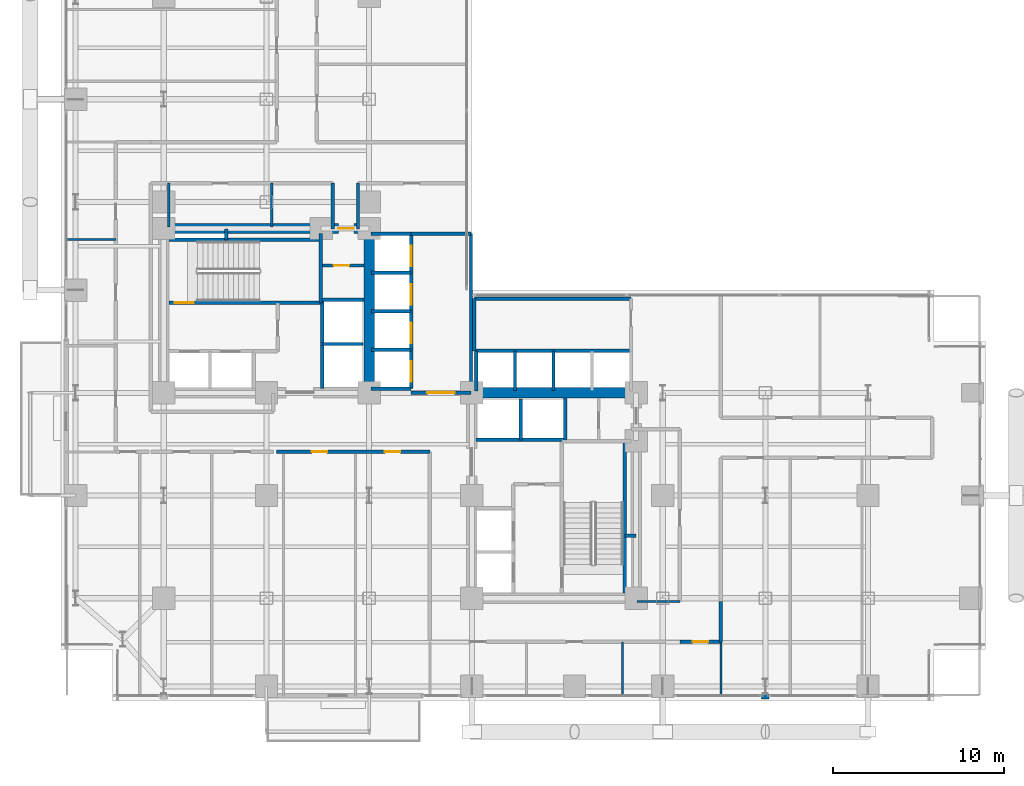
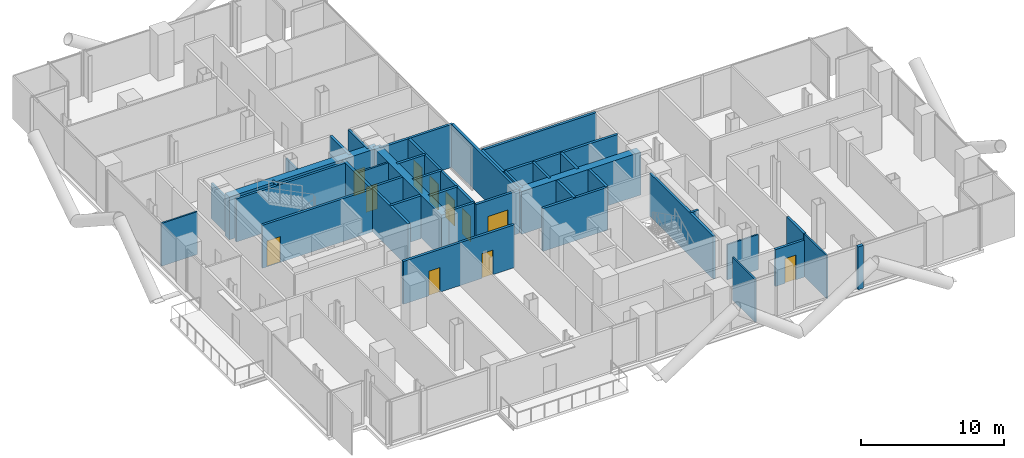
# One storey, part 21 of 25: 43 walls, 11 doors, 11 openings.
"""IFC4 building model written with IfcOpenShell, lengths in metres."""

from ifc_helpers import new_model, si_unit, direction, frame, frame_2d, origin, place, context, subcontext, project, spatial, rectangle, extrude, material, layer, layer_set, type_object, element, fill, save


model = new_model("IFC4")

# Units and contexts
model_context = context("Model", 3, precision=1e-05, world=origin(), true_north=direction((0.0, 1.0)))
body_context = subcontext(model_context, "Body", "Model", "MODEL_VIEW")
ifc_project = project(units=[si_unit("LENGTHUNIT", "METRE"), si_unit("AREAUNIT", "SQUARE_METRE"), si_unit("VOLUMEUNIT", "CUBIC_METRE"), si_unit("PLANEANGLEUNIT", "RADIAN"), si_unit("MASSUNIT", "GRAM", prefix="KILO"), si_unit("THERMODYNAMICTEMPERATUREUNIT", "KELVIN"), si_unit("POWERUNIT", "WATT")], contexts=[model_context])

# Site, building, storey
site_placement = place(None, origin())
site = spatial("IfcSite", under=ifc_project, at=site_placement, CompositionType="ELEMENT")
building_placement = place(site_placement, origin())
building = spatial("IfcBuilding", under=site, at=building_placement, Name="Svarakhadi Broadcast Tower", CompositionType="ELEMENT")
storey_placement = place(building_placement, frame((0.0, 0.0, 51.89990234375)))
storey = spatial("IfcBuildingStorey", under=building, at=storey_placement, Name="L11", CompositionType="ELEMENT", Elevation=51.89990234375)

# Wall
ifc_material_1 = material(Name="Double-Stud Acoustic Studio Partition STC-62", Category="gypsum")
ifc_layer_1 = layer(ifc_material_1, 0.199951171875)
ifc_layer_set_1 = layer_set([ifc_layer_1], Name="Double-Stud Acoustic Studio Partition STC-62")
wall_type_1 = type_object("IfcWallType", Name="Wall_Acoust_200", PredefinedType="PARTITIONING", material=ifc_layer_set_1)
wall_1_placement = place(storey_placement, frame((38.550048828125, 5.800048828125, 0.0), z_axis=(0.0, 0.0, 1.0), x_axis=(0.0, -1.0, 0.0)))
element("IfcWall", 1, at=wall_1_placement, inside=storey, type_object=wall_type_1, Name="L11 Broadcast Corridor Wall", PredefinedType="PARTITIONING", context=body_context, shape_type="SweptSolid", body=[
    extrude(rectangle(XDim=2.35009765625, YDim=0.199951171875, at=frame_2d((1.175048828125, 0.0))), origin(), (0.0, 0.0, 1.0), 3.650146484375),
])

# Wall, opening, door
wall_2_placement = place(storey_placement, frame((38.550048828125, 3.449951171875, 0.0), z_axis=(0.0, 0.0, 1.0), x_axis=(-1.0, 0.0, 0.0)))
wall_2 = element("IfcWall", 2, at=wall_2_placement, inside=storey, type_object=wall_type_1, Name="L11 Broadcast Corridor Wall", PredefinedType="PARTITIONING", context=body_context, shape_type="SweptSolid", body=[
    extrude(rectangle(XDim=2.400146484375, YDim=0.199951171875, at=frame_2d((1.2001953125, 0.0))), origin(), (0.0, 0.0, 1.0), 3.14208984375),
])
opening_1_placement = place(wall_2_placement, frame((0.75, 0.0, 0.0)))
opening_1 = element("IfcOpeningElement", 3, at=opening_1_placement, cuts=wall_2, Name="Opening D-15", PredefinedType="OPENING", context=body_context, shape_type="SweptSolid", body=[
    extrude(rectangle(XDim=0.89990234375, YDim=2.10009765625, at=frame_2d((0.449951171875, 1.050048828125))), frame((0.0, 0.10986328125, 0.0), z_axis=(0.0, -1.0, 0.0), x_axis=(1.0, 0.0, 0.0)), (0.0, 0.0, 1.0), 0.219970703125),
])
ifc_material_2 = material(Name="Solid-Core Teak Veneer Acoustic Timber Leaf", Category="wood")
door_type_1 = type_object("IfcDoorType", Name="Door_Int_D15", OperationType="SINGLE_SWING_RIGHT", PredefinedType="DOOR", material=ifc_material_2)
door_1_placement = place(opening_1_placement, origin())
door_1 = element("IfcDoor", 4, at=door_1_placement, inside=storey, type_object=door_type_1, Name="L11 Broadcast Staff Refreshment Pantry Door", OperationType="SINGLE_SWING_RIGHT", OverallHeight=2.10009765625, OverallWidth=0.89990234375, PredefinedType="DOOR", context=body_context, shape_type="SweptSolid", body=[
    extrude(rectangle(XDim=0.89990234375, YDim=2.10009765625, at=frame_2d((0.449951171875, 1.050048828125))), frame((0.0, 0.02490234375, 0.0), z_axis=(0.0, -1.0, 0.0), x_axis=(1.0, 0.0, 0.0)), (0.0, 0.0, 1.0), 0.050048828125),
])
fill(opening_1, door_1)

# Wall, openings, doors
wall_3_placement = place(storey_placement, frame((21.550048828125, 14.550048828125, 0.0), z_axis=(0.0, 0.0, 1.0), x_axis=(-1.0, 0.0, 0.0)))
wall_3 = element("IfcWall", 5, at=wall_3_placement, inside=storey, type_object=wall_type_1, Name="L11 Broadcast Corridor Wall", PredefinedType="PARTITIONING", context=body_context, shape_type="SweptSolid", body=[
    extrude(rectangle(XDim=8.949951171875, YDim=0.199951171875, at=frame_2d((4.47509765625, 0.0))), origin(), (0.0, 0.0, 1.0), 3.650146484375),
])
opening_2_placement = place(wall_3_placement, frame((6.0, 0.0, 0.0)))
opening_2 = element("IfcOpeningElement", 6, at=opening_2_placement, cuts=wall_3, Name="Opening D-14", PredefinedType="OPENING", context=body_context, shape_type="SweptSolid", body=[
    extrude(rectangle(XDim=0.89990234375, YDim=2.10009765625, at=frame_2d((0.449951171875, 1.050048828125))), frame((0.0, 0.10986328125, 0.0), z_axis=(0.0, -1.0, 0.0), x_axis=(1.0, 0.0, 0.0)), (0.0, 0.0, 1.0), 0.219970703125),
])
opening_3_placement = place(wall_3_placement, frame((1.72509765625, 0.0, 0.0)))
opening_3 = element("IfcOpeningElement", 7, at=opening_3_placement, cuts=wall_3, Name="Opening D-15", PredefinedType="OPENING", context=body_context, shape_type="SweptSolid", body=[
    extrude(rectangle(XDim=0.89990234375, YDim=2.10009765625, at=frame_2d((0.449951171875, 1.050048828125))), frame((0.0, 0.10986328125, 0.0), z_axis=(0.0, -1.0, 0.0), x_axis=(1.0, 0.0, 0.0)), (0.0, 0.0, 1.0), 0.219970703125),
])
door_type_2 = type_object("IfcDoorType", Name="Door_Int_D14", OperationType="SINGLE_SWING_LEFT", PredefinedType="DOOR", material=ifc_material_2)
door_2_placement = place(opening_2_placement, origin())
door_2 = element("IfcDoor", 8, at=door_2_placement, inside=storey, type_object=door_type_2, Name="L11 VFX Grading Pod Door", OperationType="SINGLE_SWING_LEFT", OverallHeight=2.10009765625, OverallWidth=0.89990234375, PredefinedType="DOOR", context=body_context, shape_type="SweptSolid", body=[
    extrude(rectangle(XDim=0.89990234375, YDim=2.10009765625, at=frame_2d((0.449951171875, 1.050048828125))), frame((0.0, 0.02490234375, 0.0), z_axis=(0.0, -1.0, 0.0), x_axis=(1.0, 0.0, 0.0)), (0.0, 0.0, 1.0), 0.050048828125),
])
fill(opening_2, door_2)
door_3_placement = place(opening_3_placement, origin())
door_3 = element("IfcDoor", 9, at=door_3_placement, inside=storey, type_object=door_type_1, Name="L11 Voice Recording Room Door", OperationType="SINGLE_SWING_RIGHT", OverallHeight=2.10009765625, OverallWidth=0.89990234375, PredefinedType="DOOR", context=body_context, shape_type="SweptSolid", body=[
    extrude(rectangle(XDim=0.89990234375, YDim=2.10009765625, at=frame_2d((0.449951171875, 1.050048828125))), frame((0.0, 0.02490234375, 0.0), z_axis=(0.0, -1.0, 0.0), x_axis=(1.0, 0.0, 0.0)), (0.0, 0.0, 1.0), 0.050048828125),
])
fill(opening_3, door_3)

# Walls
for number, where, z_axis, x_axis, name in (
    (10, (17.35009765625, 30.25, 0.0), (0.0, 0.0, 1.0), (0.0, -1.0, 0.0), "L11 Broadcast Corridor Wall"),
    (11, (15.8798828125, 27.580078125, 0.0), (0.0, 0.0, 1.0), (0.0, 1.0, 0.0), "L11 Broadcast Corridor Wall"),
):
    element("IfcWall", number, at=place(storey_placement, frame(where, z_axis=z_axis, x_axis=x_axis)), inside=storey, type_object=wall_type_1, Name=name, PredefinedType="PARTITIONING", context=body_context, shape_type="SweptSolid", body=[
        extrude(rectangle(XDim=2.669921875, YDim=0.199951171875, at=frame_2d((1.3349609375, 0.0))), origin(), (0.0, 0.0, 1.0), 3.650146484375),
    ])
ifc_material_3 = material(Name="Concrete C40/50 (IS 456 M50)", Category="concrete")
ifc_layer_2 = layer(ifc_material_3, 0.239990234375)
ifc_layer_set_2 = layer_set([ifc_layer_2], Name="Concrete C40/50 (IS 456 M50)")
wall_type_2 = type_object("IfcWallType", Name="Wall_Ext_240", PredefinedType="SOLIDWALL", material=ifc_layer_set_2)
wall_4_placement = place(storey_placement, frame((41.364990234375, 0.239990234375, 0.0), z_axis=(0.0, 0.0, 1.0), x_axis=(-1.0, 0.0, 0.0)))
element("IfcWall", 12, at=wall_4_placement, inside=storey, type_object=wall_type_2, Name="L11 Perimeter Bronze Spandrel Closure Wall 05", PredefinedType="SOLIDWALL", context=body_context, shape_type="SweptSolid", body=[
    extrude(rectangle(XDim=0.429931640625, YDim=0.239990234375, at=frame_2d((0.21484375, 0.0))), origin(), (0.0, 0.0, 1.0), 3.650146484375),
])
ifc_layer_3 = layer(ifc_material_3, 0.199951171875)
ifc_layer_set_3 = layer_set([ifc_layer_3], Name="Concrete C40/50 (IS 456 M50)")
wall_type_3 = type_object("IfcWallType", Name="Wall_Fire_200", PredefinedType="SOLIDWALL", material=ifc_layer_set_3)
for number, where, z_axis, x_axis, name in (
    (13, (9.659912109375, 26.93994140625, 0.0), (0.0, 0.0, 1.0), (0.0, 1.0, 0.0), "L11 Wet Riser Shaft East Wall"),
    (14, (32.93994140625, 9.659912109375, 0.0), (0.0, 0.0, 1.0), (1.0, 0.0, 0.0), "L11 HV Busduct Riser Shaft North Wall"),
):
    element("IfcWall", number, at=place(storey_placement, frame(where, z_axis=z_axis, x_axis=x_axis)), inside=storey, type_object=wall_type_3, Name=name, PredefinedType="SOLIDWALL", context=body_context, shape_type="SweptSolid", body=[
        extrude(rectangle(XDim=0.64013671875, YDim=0.199951171875, at=frame_2d((0.320068359375, 0.0))), origin(), (0.0, 0.0, 1.0), 3.650146484375),
    ])
ifc_material_4 = material(Name="Fire-Rated Moisture-Resistant Gypsum Board Partition", Category="gypsum")
ifc_layer_4 = layer(ifc_material_4, 0.125)
ifc_layer_set_4 = layer_set([ifc_layer_4], Name="Fire-Rated Moisture-Resistant Gypsum Board Partition")
wall_type_4 = type_object("IfcWallType", Name="Wall_Part_125", PredefinedType="PARTITIONING", material=ifc_layer_set_4)
wall_5_placement = place(storey_placement, frame((0.300048828125, 26.949951171875, 0.0), z_axis=(0.0, 0.0, 1.0), x_axis=(1.0, 0.0, 0.0)))
element("IfcWall", 15, at=wall_5_placement, inside=storey, type_object=wall_type_4, Name="L11 Live Translation Studio Wall", PredefinedType="PARTITIONING", context=body_context, shape_type="SweptSolid", body=[
    extrude(rectangle(XDim=2.89990234375, YDim=0.125, at=frame_2d((1.449951171875, 0.0))), origin(), (0.0, 0.0, 1.0), 3.650146484375),
])
for number, where, z_axis, x_axis, name in (
    (16, (32.800048828125, 0.300048828125, 0.0), (0.0, 0.0, 1.0), (0.0, 1.0, 0.0), "L11 Media Legal Review Office Wall"),
    (17, (38.550048828125, 0.300048828125, 0.0), (0.0, 0.0, 1.0), (0.0, 1.0, 0.0), "L11 Broadcast Staff Refreshment Pantry Wall"),
):
    element("IfcWall", number, at=place(storey_placement, frame(where, z_axis=z_axis, x_axis=x_axis)), inside=storey, type_object=wall_type_4, Name=name, PredefinedType="PARTITIONING", context=body_context, shape_type="SweptSolid", body=[
        extrude(rectangle(XDim=3.14990234375, YDim=0.125, at=frame_2d((1.574951171875, 0.0))), origin(), (0.0, 0.0, 1.0), 3.650146484375),
    ])
wall_6_placement = place(storey_placement, frame((33.64990234375, 5.800048828125, 0.0), z_axis=(0.0, 0.0, 1.0), x_axis=(1.0, 0.0, 0.0)))
element("IfcWall", 18, at=wall_6_placement, inside=storey, type_object=wall_type_4, Name="L11 Live Feed Monitoring Studio Wall", PredefinedType="PARTITIONING", context=body_context, shape_type="SweptSolid", body=[
    extrude(rectangle(XDim=2.5, YDim=0.125, at=frame_2d((1.25, 0.0))), origin(), (0.0, 0.0, 1.0), 2.9921875),
])

# Wall, opening, door
ifc_material_5 = material(Name="Autoclaved Aerated Concrete Blockwork 150 mm", Category="masonry")
ifc_layer_5 = layer(ifc_material_5, 0.14990234375)
ifc_layer_set_5 = layer_set([ifc_layer_5], Name="Autoclaved Aerated Concrete Blockwork 150 mm")
wall_type_5 = type_object("IfcWallType", Name="Wall_Part_150", PredefinedType="PARTITIONING", material=ifc_layer_set_5)
wall_7_placement = place(storey_placement, frame((15.280029296875, 25.43994140625, 0.0), z_axis=(0.0, 0.0, 1.0), x_axis=(1.0, 0.0, 0.0)))
wall_7 = element("IfcWall", 19, at=wall_7_placement, inside=storey, type_object=wall_type_5, Name="L11 West Core Dual Store Wall", PredefinedType="PARTITIONING", context=body_context, shape_type="SweptSolid", body=[
    extrude(rectangle(XDim=2.419921875, YDim=0.14990234375, at=frame_2d((1.2099609375, 0.0))), origin(), (0.0, 0.0, 1.0), 3.650146484375),
])
opening_4_placement = place(wall_7_placement, frame((0.64990234375, 0.0, 0.0)))
opening_4 = element("IfcOpeningElement", 20, at=opening_4_placement, cuts=wall_7, Name="Opening D-04", PredefinedType="OPENING", context=body_context, shape_type="SweptSolid", body=[
    extrude(rectangle(XDim=0.89990234375, YDim=2.14990234375, at=frame_2d((0.449951171875, 1.074951171875))), frame((0.0, 0.0849609375, 0.0), z_axis=(0.0, -1.0, 0.0), x_axis=(1.0, 0.0, 0.0)), (0.0, 0.0, 1.0), 0.169921875),
])
ifc_material_6 = material(Name="Galvanised Powder-Coated Fire-Rated Steel Leaf", Category="steel")
door_type_3 = type_object("IfcDoorType", Name="Door_Fire_D04", OperationType="SINGLE_SWING_RIGHT", PredefinedType="DOOR", material=ifc_material_6)
door_4_placement = place(opening_4_placement, origin())
door_4 = element("IfcDoor", 21, at=door_4_placement, inside=storey, type_object=door_type_3, Name="L11 West Core Store B Door", OperationType="SINGLE_SWING_RIGHT", OverallHeight=2.14990234375, OverallWidth=0.89990234375, PredefinedType="DOOR", context=body_context, shape_type="SweptSolid", body=[
    extrude(rectangle(XDim=0.89990234375, YDim=2.14990234375, at=frame_2d((0.449951171875, 1.074951171875))), frame((0.0, 0.02490234375, 0.0), z_axis=(0.0, -1.0, 0.0), x_axis=(1.0, 0.0, 0.0)), (0.0, 0.0, 1.0), 0.050048828125),
])
fill(opening_4, door_4)

# Walls
for number, where, z_axis, x_axis, name in (
    (22, (6.300048828125, 27.679931640625, 0.0), (0.0, 0.0, 1.0), (0.0, 1.0, 0.0), "L11 Accessible Toilet WC Wall"),
    (23, (12.300048828125, 27.679931640625, 0.0), (0.0, 0.0, 1.0), (0.0, 1.0, 0.0), "L11 Accessible Toilet WC Wall"),
):
    element("IfcWall", number, at=place(storey_placement, frame(where, z_axis=z_axis, x_axis=x_axis)), inside=storey, type_object=wall_type_5, Name=name, PredefinedType="PARTITIONING", context=body_context, shape_type="SweptSolid", body=[
        extrude(rectangle(XDim=2.570068359375, YDim=0.14990234375, at=frame_2d((1.28515625, 0.0))), origin(), (0.0, 0.0, 1.0), 2.9921875),
    ])

# Wall, opening, door
ifc_material_7 = material(Name="Concrete C50/60 (IS 456 M60)", Category="concrete")
ifc_layer_6 = layer(ifc_material_7, 0.199951171875)
ifc_layer_set_6 = layer_set([ifc_layer_6], Name="Concrete C50/60 (IS 456 M60)")
wall_type_6 = type_object("IfcWallType", Name="Wall_Shear_200", PredefinedType="SHEAR", material=ifc_layer_set_6)
wall_8_placement = place(storey_placement, frame((6.300048828125, 23.260009765625, 0.0), z_axis=(0.0, 0.0, 1.0), x_axis=(1.0, 0.0, 0.0)))
wall_8 = element("IfcWall", 24, at=wall_8_placement, inside=storey, type_object=wall_type_6, Name="L11 Stair ST-01 South RC Shaft Wall", PredefinedType="SHEAR", context=body_context, shape_type="SweptSolid", body=[
    extrude(rectangle(XDim=8.8798828125, YDim=0.199951171875, at=frame_2d((4.43994140625, 0.0))), origin(), (0.0, 0.0, 1.0), 3.650146484375),
])
opening_5_placement = place(wall_8_placement, frame((0.35009765625, 0.0, 0.0)))
opening_5 = element("IfcOpeningElement", 25, at=opening_5_placement, cuts=wall_8, Name="Opening D-01", PredefinedType="OPENING", context=body_context, shape_type="SweptSolid", body=[
    extrude(rectangle(XDim=1.10009765625, YDim=2.199951171875, at=frame_2d((0.550048828125, 1.10009765625))), frame((0.0, 0.10986328125, 0.0), z_axis=(0.0, -1.0, 0.0), x_axis=(1.0, 0.0, 0.0)), (0.0, 0.0, 1.0), 0.219970703125),
])
door_type_4 = type_object("IfcDoorType", Name="Door_Stair_D01", OperationType="SINGLE_SWING_LEFT", PredefinedType="DOOR", material=ifc_material_6)
door_5_placement = place(opening_5_placement, origin())
door_5 = element("IfcDoor", 26, at=door_5_placement, inside=storey, type_object=door_type_4, Name="L11 Protected Exit Stair ST-01 Fire Door", OperationType="SINGLE_SWING_LEFT", OverallHeight=2.199951171875, OverallWidth=1.10009765625, PredefinedType="DOOR", context=body_context, shape_type="SweptSolid", body=[
    extrude(rectangle(XDim=1.10009765625, YDim=2.199951171875, at=frame_2d((0.550048828125, 1.10009765625))), frame((0.0, 0.02490234375, 0.0), z_axis=(0.0, -1.0, 0.0), x_axis=(1.0, 0.0, 0.0)), (0.0, 0.0, 1.0), 0.050048828125),
])
fill(opening_5, door_5)

# Walls
wall_9_placement = place(storey_placement, frame((6.300048828125, 26.93994140625, 0.0), z_axis=(0.0, 0.0, 1.0), x_axis=(1.0, 0.0, 0.0)))
element("IfcWall", 27, at=wall_9_placement, inside=storey, type_object=wall_type_6, Name="L11 Stair ST-01 North RC Shaft Wall", PredefinedType="SHEAR", context=body_context, shape_type="SweptSolid", body=[
    extrude(rectangle(XDim=8.8798828125, YDim=0.199951171875, at=frame_2d((4.43994140625, 0.0))), origin(), (0.0, 0.0, 1.0), 3.650146484375),
])
wall_10_placement = place(storey_placement, frame((15.179931640625, 23.260009765625, 0.0), z_axis=(0.0, 0.0, 1.0), x_axis=(0.0, 1.0, 0.0)))
element("IfcWall", 28, at=wall_10_placement, inside=storey, type_object=wall_type_6, Name="L11 Stair ST-01 East RC Shaft Wall", PredefinedType="SHEAR", context=body_context, shape_type="SweptSolid", body=[
    extrude(rectangle(XDim=4.0400390625, YDim=0.199951171875, at=frame_2d((2.02001953125, 0.0))), origin(), (0.0, 0.0, 1.0), 3.650146484375),
])
wall_11_placement = place(storey_placement, frame((32.93994140625, 6.300048828125, 0.0), z_axis=(0.0, 0.0, 1.0), x_axis=(0.0, 1.0, 0.0)))
element("IfcWall", 29, at=wall_11_placement, inside=storey, type_object=wall_type_6, Name="L11 Stair ST-02 East RC Shaft Wall", PredefinedType="SHEAR", context=body_context, shape_type="SweptSolid", body=[
    extrude(rectangle(XDim=8.8798828125, YDim=0.199951171875, at=frame_2d((4.43994140625, 0.0))), origin(), (0.0, 0.0, 1.0), 3.650146484375),
])
wall_12_placement = place(storey_placement, frame((15.25, 18.25, 0.0), z_axis=(0.0, 0.0, 1.0), x_axis=(0.0, 1.0, 0.0)))
element("IfcWall", 30, at=wall_12_placement, inside=storey, type_object=wall_type_6, Name="L11 High-Rise Lift LF-13/14 West Shaft Wall", PredefinedType="SHEAR", context=body_context, shape_type="SweptSolid", body=[
    extrude(rectangle(XDim=5.199951171875, YDim=0.199951171875, at=frame_2d((2.60009765625, 0.0))), origin(), (0.0, 0.0, 1.0), 3.650146484375),
])
wall_13_placement = place(storey_placement, frame((15.25, 20.85009765625, 0.0), z_axis=(0.0, 0.0, 1.0), x_axis=(1.0, 0.0, 0.0)))
element("IfcWall", 31, at=wall_13_placement, inside=storey, type_object=wall_type_6, Name="L11 High-Rise Lift LF-13/14 Divider", PredefinedType="SHEAR", context=body_context, shape_type="SweptSolid", body=[
    extrude(rectangle(XDim=2.39990234375, YDim=0.199951171875, at=frame_2d((1.199951171875, 0.0))), origin(), (0.0, 0.0, 1.0), 3.650146484375),
])
wall_14_placement = place(storey_placement, frame((15.25, 23.449951171875, 0.0), z_axis=(0.0, 0.0, 1.0), x_axis=(1.0, 0.0, 0.0)))
element("IfcWall", 32, at=wall_14_placement, inside=storey, type_object=wall_type_6, Name="L11 High-Rise Lift LF-13/14 North Wall", PredefinedType="SHEAR", context=body_context, shape_type="SweptSolid", body=[
    extrude(rectangle(XDim=2.449951171875, YDim=0.199951171875, at=frame_2d((1.22509765625, 0.0))), origin(), (0.0, 0.0, 1.0), 3.650146484375),
])
wall_15_placement = place(storey_placement, frame((24.25, 15.25, 0.0), z_axis=(0.0, 0.0, 1.0), x_axis=(1.0, 0.0, 0.0)))
element("IfcWall", 33, at=wall_15_placement, inside=storey, type_object=wall_type_6, Name="L11 High-Rise Lift LF-15/16 South Shaft Wall", PredefinedType="SHEAR", context=body_context, shape_type="SweptSolid", body=[
    extrude(rectangle(XDim=5.199951171875, YDim=0.199951171875, at=frame_2d((2.60009765625, 0.0))), origin(), (0.0, 0.0, 1.0), 3.650146484375),
])
wall_16_placement = place(storey_placement, frame((26.85009765625, 15.25, 0.0), z_axis=(0.0, 0.0, 1.0), x_axis=(0.0, 1.0, 0.0)))
element("IfcWall", 34, at=wall_16_placement, inside=storey, type_object=wall_type_6, Name="L11 High-Rise Lift LF-15/16 Divider", PredefinedType="SHEAR", context=body_context, shape_type="SweptSolid", body=[
    extrude(rectangle(XDim=2.39990234375, YDim=0.199951171875, at=frame_2d((1.199951171875, 0.0))), origin(), (0.0, 0.0, 1.0), 3.650146484375),
])
wall_17_placement = place(storey_placement, frame((29.449951171875, 15.25, 0.0), z_axis=(0.0, 0.0, 1.0), x_axis=(0.0, 1.0, 0.0)))
element("IfcWall", 35, at=wall_17_placement, inside=storey, type_object=wall_type_6, Name="L11 High-Rise Lift LF-15/16 East Wall", PredefinedType="SHEAR", context=body_context, shape_type="SweptSolid", body=[
    extrude(rectangle(XDim=2.449951171875, YDim=0.199951171875, at=frame_2d((1.22509765625, 0.0))), origin(), (0.0, 0.0, 1.0), 3.650146484375),
])
for number, where, z_axis, x_axis, name in (
    (36, (18.10009765625, 27.300048828125, 0.0), (0.0, 0.0, 1.0), (1.0, 0.0, 0.0), "L11 Bank A North Shaft Wall"),
    (37, (18.10009765625, 18.25, 0.0), (0.0, 0.0, 1.0), (1.0, 0.0, 0.0), "L11 Bank A South Shaft Wall"),
):
    element("IfcWall", number, at=place(storey_placement, frame(where, z_axis=z_axis, x_axis=x_axis)), inside=storey, type_object=wall_type_6, Name=name, PredefinedType="SHEAR", context=body_context, shape_type="SweptSolid", body=[
        extrude(rectangle(XDim=2.349853515625, YDim=0.199951171875, at=frame_2d((1.1748046875, 0.0))), origin(), (0.0, 0.0, 1.0), 3.650146484375),
    ])

# Wall, openings, doors
wall_18_placement = place(storey_placement, frame((20.449951171875, 18.25, 0.0), z_axis=(0.0, 0.0, 1.0), x_axis=(0.0, 1.0, 0.0)))
wall_18 = element("IfcWall", 38, at=wall_18_placement, inside=storey, type_object=wall_type_6, Name="L11 Bank A East Landing Wall", PredefinedType="SHEAR", context=body_context, shape_type="SweptSolid", body=[
    extrude(rectangle(XDim=9.050048828125, YDim=0.199951171875, at=frame_2d((4.52490234375, 0.0))), origin(), (0.0, 0.0, 1.0), 3.650146484375),
])
opening_6_placement = place(wall_18_placement, frame((0.39990234375, 0.0, 0.0)))
opening_6 = element("IfcOpeningElement", 39, at=opening_6_placement, cuts=wall_18, Name="Opening LD-02", PredefinedType="OPENING", context=body_context, shape_type="SweptSolid", body=[
    extrude(rectangle(XDim=1.199951171875, YDim=2.199951171875, at=frame_2d((0.60009765625, 1.10009765625))), frame((0.0, 0.10986328125, 0.0), z_axis=(0.0, -1.0, 0.0), x_axis=(1.0, 0.0, 0.0)), (0.0, 0.0, 1.0), 0.219970703125),
])
opening_7_placement = place(wall_18_placement, frame((2.64990234375, 0.0, 0.0)))
opening_7 = element("IfcOpeningElement", 40, at=opening_7_placement, cuts=wall_18, Name="Opening LD-02", PredefinedType="OPENING", context=body_context, shape_type="SweptSolid", body=[
    extrude(rectangle(XDim=1.199951171875, YDim=2.199951171875, at=frame_2d((0.60009765625, 1.10009765625))), frame((0.0, 0.10986328125, 0.0), z_axis=(0.0, -1.0, 0.0), x_axis=(1.0, 0.0, 0.0)), (0.0, 0.0, 1.0), 0.219970703125),
])
opening_8_placement = place(wall_18_placement, frame((4.89990234375, 0.0, 0.0)))
opening_8 = element("IfcOpeningElement", 41, at=opening_8_placement, cuts=wall_18, Name="Opening LD-02", PredefinedType="OPENING", context=body_context, shape_type="SweptSolid", body=[
    extrude(rectangle(XDim=1.199951171875, YDim=2.199951171875, at=frame_2d((0.60009765625, 1.10009765625))), frame((0.0, 0.10986328125, 0.0), z_axis=(0.0, -1.0, 0.0), x_axis=(1.0, 0.0, 0.0)), (0.0, 0.0, 1.0), 0.219970703125),
])
opening_9_placement = place(wall_18_placement, frame((7.14990234375, 0.0, 0.0)))
opening_9 = element("IfcOpeningElement", 42, at=opening_9_placement, cuts=wall_18, Name="Opening LD-02", PredefinedType="OPENING", context=body_context, shape_type="SweptSolid", body=[
    extrude(rectangle(XDim=1.199951171875, YDim=2.199951171875, at=frame_2d((0.60009765625, 1.10009765625))), frame((0.0, 0.10986328125, 0.0), z_axis=(0.0, -1.0, 0.0), x_axis=(1.0, 0.0, 0.0)), (0.0, 0.0, 1.0), 0.219970703125),
])
door_type_5 = type_object("IfcDoorType", Name="Door_Lift_LD02", OperationType="SLIDING_TO_RIGHT", PredefinedType="DOOR", material=ifc_material_6)
door_6_placement = place(opening_6_placement, origin())
door_6 = element("IfcDoor", 43, at=door_6_placement, inside=storey, type_object=door_type_5, Name="L11 Low-Rise Lift LF-05 Landing Door", OperationType="SLIDING_TO_RIGHT", OverallHeight=2.199951171875, OverallWidth=1.199951171875, PredefinedType="DOOR", context=body_context, shape_type="SweptSolid", body=[
    extrude(rectangle(XDim=1.199951171875, YDim=2.199951171875, at=frame_2d((0.60009765625, 1.10009765625))), frame((0.0, 0.02490234375, 0.0), z_axis=(0.0, -1.0, 0.0), x_axis=(1.0, 0.0, 0.0)), (0.0, 0.0, 1.0), 0.050048828125),
])
fill(opening_6, door_6)
door_7_placement = place(opening_7_placement, origin())
door_7 = element("IfcDoor", 44, at=door_7_placement, inside=storey, type_object=door_type_5, Name="L11 Low-Rise Lift LF-06 Landing Door", OperationType="SLIDING_TO_RIGHT", OverallHeight=2.199951171875, OverallWidth=1.199951171875, PredefinedType="DOOR", context=body_context, shape_type="SweptSolid", body=[
    extrude(rectangle(XDim=1.199951171875, YDim=2.199951171875, at=frame_2d((0.60009765625, 1.10009765625))), frame((0.0, 0.02490234375, 0.0), z_axis=(0.0, -1.0, 0.0), x_axis=(1.0, 0.0, 0.0)), (0.0, 0.0, 1.0), 0.050048828125),
])
fill(opening_7, door_7)
door_8_placement = place(opening_8_placement, origin())
door_8 = element("IfcDoor", 45, at=door_8_placement, inside=storey, type_object=door_type_5, Name="L11 Low-Rise Lift LF-07 Landing Door", OperationType="SLIDING_TO_RIGHT", OverallHeight=2.199951171875, OverallWidth=1.199951171875, PredefinedType="DOOR", context=body_context, shape_type="SweptSolid", body=[
    extrude(rectangle(XDim=1.199951171875, YDim=2.199951171875, at=frame_2d((0.60009765625, 1.10009765625))), frame((0.0, 0.02490234375, 0.0), z_axis=(0.0, -1.0, 0.0), x_axis=(1.0, 0.0, 0.0)), (0.0, 0.0, 1.0), 0.050048828125),
])
fill(opening_8, door_8)
door_9_placement = place(opening_9_placement, origin())
door_9 = element("IfcDoor", 46, at=door_9_placement, inside=storey, type_object=door_type_5, Name="L11 Low-Rise Lift LF-08 Landing Door", OperationType="SLIDING_TO_RIGHT", OverallHeight=2.199951171875, OverallWidth=1.199951171875, PredefinedType="DOOR", context=body_context, shape_type="SweptSolid", body=[
    extrude(rectangle(XDim=1.199951171875, YDim=2.199951171875, at=frame_2d((0.60009765625, 1.10009765625))), frame((0.0, 0.02490234375, 0.0), z_axis=(0.0, -1.0, 0.0), x_axis=(1.0, 0.0, 0.0)), (0.0, 0.0, 1.0), 0.050048828125),
])
fill(opening_9, door_9)

# Walls
for number, where, z_axis, x_axis, name in (
    (47, (18.14990234375, 20.52001953125, 0.0), (0.0, 0.0, 1.0), (1.0, 0.0, 0.0), "L11 Bank A Divider"),
    (48, (18.14990234375, 22.77001953125, 0.0), (0.0, 0.0, 1.0), (1.0, 0.0, 0.0), "L11 Bank A Divider"),
    (49, (18.14990234375, 25.02001953125, 0.0), (0.0, 0.0, 1.0), (1.0, 0.0, 0.0), "L11 Bank A Divider"),
):
    element("IfcWall", number, at=place(storey_placement, frame(where, z_axis=z_axis, x_axis=x_axis)), inside=storey, type_object=wall_type_6, Name=name, PredefinedType="SHEAR", context=body_context, shape_type="SweptSolid", body=[
        extrude(rectangle(XDim=2.300048828125, YDim=0.199951171875, at=frame_2d((1.14990234375, 0.0))), origin(), (0.0, 0.0, 1.0), 3.650146484375),
    ])

# Wall, opening, door
wall_19_placement = place(storey_placement, frame((20.449951171875, 18.0, 0.0), z_axis=(0.0, 0.0, 1.0), x_axis=(1.0, 0.0, 0.0)))
wall_19 = element("IfcWall", 50, at=wall_19_placement, inside=storey, type_object=wall_type_6, Name="L11 Bank A Lift Hall South Wall", PredefinedType="SHEAR", context=body_context, shape_type="SweptSolid", body=[
    extrude(rectangle(XDim=3.5, YDim=0.199951171875, at=frame_2d((1.75, 0.0))), origin(), (0.0, 0.0, 1.0), 3.650146484375),
])
opening_10_placement = place(wall_19_placement, frame((0.949951171875, 0.0, 0.0)))
opening_10 = element("IfcOpeningElement", 51, at=opening_10_placement, cuts=wall_19, Name="Opening D-05", PredefinedType="OPENING", context=body_context, shape_type="SweptSolid", body=[
    extrude(rectangle(XDim=1.60009765625, YDim=2.300048828125, at=frame_2d((0.800048828125, 1.14990234375))), frame((0.0, 0.10986328125, 0.0), z_axis=(0.0, -1.0, 0.0), x_axis=(1.0, 0.0, 0.0)), (0.0, 0.0, 1.0), 0.219970703125),
])
ifc_material_8 = material(Name="Anodised Bronze Aluminium AA 6063-T6", Category="aluminium")
door_type_6 = type_object("IfcDoorType", Name="Door_Lobby_D05", OperationType="DOUBLE_DOOR_SLIDING", PredefinedType="DOOR", material=ifc_material_8)
door_10_placement = place(opening_10_placement, origin())
door_10 = element("IfcDoor", 52, at=door_10_placement, inside=storey, type_object=door_type_6, Name="L11 Low-Rise Lift Hall Corridor Door", OperationType="DOUBLE_DOOR_SLIDING", OverallHeight=2.300048828125, OverallWidth=1.60009765625, PredefinedType="DOOR", context=body_context, shape_type="SweptSolid", body=[
    extrude(rectangle(XDim=1.60009765625, YDim=2.300048828125, at=frame_2d((0.800048828125, 1.14990234375))), frame((0.0, 0.02490234375, 0.0), z_axis=(0.0, -1.0, 0.0), x_axis=(1.0, 0.0, 0.0)), (0.0, 0.0, 1.0), 0.050048828125),
])
fill(opening_10, door_10)

# Walls
wall_20_placement = place(storey_placement, frame((20.449951171875, 27.300048828125, 0.0), z_axis=(0.0, 0.0, 1.0), x_axis=(1.0, 0.0, 0.0)))
element("IfcWall", 53, at=wall_20_placement, inside=storey, type_object=wall_type_6, Name="L11 Bank A Lift Hall North Wall", PredefinedType="SHEAR", context=body_context, shape_type="SweptSolid", body=[
    extrude(rectangle(XDim=3.5, YDim=0.199951171875, at=frame_2d((1.75, 0.0))), origin(), (0.0, 0.0, 1.0), 3.650146484375),
])
wall_21_placement = place(storey_placement, frame((23.949951171875, 18.0, 0.0), z_axis=(0.0, 0.0, 1.0), x_axis=(0.0, 1.0, 0.0)))
element("IfcWall", 54, at=wall_21_placement, inside=storey, type_object=wall_type_6, Name="L11 Bank A Lift Hall East Wall", PredefinedType="SHEAR", context=body_context, shape_type="SweptSolid", body=[
    extrude(rectangle(XDim=9.300048828125, YDim=0.199951171875, at=frame_2d((4.64990234375, 0.0))), origin(), (0.0, 0.0, 1.0), 3.650146484375),
])
wall_22_placement = place(storey_placement, frame((24.25, 18.10009765625, 0.0), z_axis=(0.0, 0.0, 1.0), x_axis=(0.0, 1.0, 0.0)))
element("IfcWall", 55, at=wall_22_placement, inside=storey, type_object=wall_type_6, Name="L11 Bank B West Shaft Wall", PredefinedType="SHEAR", context=body_context, shape_type="SweptSolid", body=[
    extrude(rectangle(XDim=2.349853515625, YDim=0.199951171875, at=frame_2d((1.1748046875, 0.0))), origin(), (0.0, 0.0, 1.0), 3.650146484375),
])
wall_23_placement = place(storey_placement, frame((24.25, 20.449951171875, 0.0), z_axis=(0.0, 0.0, 1.0), x_axis=(1.0, 0.0, 0.0)))
element("IfcWall", 56, at=wall_23_placement, inside=storey, type_object=wall_type_6, Name="L11 Bank B North Landing Wall", PredefinedType="SHEAR", context=body_context, shape_type="SweptSolid", body=[
    extrude(rectangle(XDim=9.050048828125, YDim=0.199951171875, at=frame_2d((4.52490234375, 0.0))), origin(), (0.0, 0.0, 1.0), 3.650146484375),
])
for number, where, z_axis, x_axis, name in (
    (57, (26.52001953125, 18.14990234375, 0.0), (0.0, 0.0, 1.0), (0.0, 1.0, 0.0), "L11 Bank B Divider"),
    (58, (28.77001953125, 18.14990234375, 0.0), (0.0, 0.0, 1.0), (0.0, 1.0, 0.0), "L11 Bank B Divider"),
):
    element("IfcWall", number, at=place(storey_placement, frame(where, z_axis=z_axis, x_axis=x_axis)), inside=storey, type_object=wall_type_6, Name=name, PredefinedType="SHEAR", context=body_context, shape_type="SweptSolid", body=[
        extrude(rectangle(XDim=2.300048828125, YDim=0.199951171875, at=frame_2d((1.14990234375, 0.0))), origin(), (0.0, 0.0, 1.0), 3.650146484375),
    ])
wall_24_placement = place(storey_placement, frame((24.14990234375, 23.5, 0.0), z_axis=(0.0, 0.0, 1.0), x_axis=(1.0, 0.0, 0.0)))
element("IfcWall", 59, at=wall_24_placement, inside=storey, type_object=wall_type_6, Name="L11 Bank B Lift Hall North Wall", PredefinedType="SHEAR", context=body_context, shape_type="SweptSolid", body=[
    extrude(rectangle(XDim=9.150146484375, YDim=0.199951171875, at=frame_2d((4.5751953125, 0.0))), origin(), (0.0, 0.0, 1.0), 3.650146484375),
])
wall_25_placement = place(storey_placement, frame((24.14990234375, 20.449951171875, 0.0), z_axis=(0.0, 0.0, 1.0), x_axis=(0.0, 1.0, 0.0)))
element("IfcWall", 60, at=wall_25_placement, inside=storey, type_object=wall_type_6, Name="L11 Bank B Lift Hall West Wall", PredefinedType="SHEAR", context=body_context, shape_type="SweptSolid", body=[
    extrude(rectangle(XDim=3.050048828125, YDim=0.199951171875, at=frame_2d((1.52490234375, 0.0))), origin(), (0.0, 0.0, 1.0), 3.650146484375),
])

# Wall, opening, door
ifc_material_9 = material(Name="Concrete C60/75 (IS 456 M70)", Category="concrete")
ifc_layer_7 = layer(ifc_material_9, 0.60009765625)
ifc_layer_set_7 = layer_set([ifc_layer_7], Name="Concrete C60/75 (IS 456 M70)")
wall_type_7 = type_object("IfcWallType", Name="Wall_Shear_600", PredefinedType="SHEAR", material=ifc_layer_set_7)
wall_26_placement = place(storey_placement, frame((6.0, 27.60009765625, 0.0), z_axis=(0.0, 0.0, 1.0), x_axis=(1.0, 0.0, 0.0)))
wall_26 = element("IfcWall", 61, at=wall_26_placement, inside=storey, type_object=wall_type_7, Name="L11 West Core North Shear Wall", PredefinedType="SHEAR", context=body_context, shape_type="SweptSolid", body=[
    extrude(rectangle(XDim=12.0, YDim=0.60009765625, at=frame_2d((6.0, 0.0))), origin(), (0.0, 0.0, 1.0), 3.650146484375),
])
opening_11_placement = place(wall_26_placement, frame((10.199951171875, 0.0, 0.0)))
opening_11 = element("IfcOpeningElement", 62, at=opening_11_placement, cuts=wall_26, Name="Opening D-03", PredefinedType="OPENING", context=body_context, shape_type="SweptSolid", body=[
    extrude(rectangle(XDim=0.89990234375, YDim=2.14990234375, at=frame_2d((0.449951171875, 1.074951171875))), frame((0.0, 0.31005859375, 0.0), z_axis=(0.0, -1.0, 0.0), x_axis=(1.0, 0.0, 0.0)), (0.0, 0.0, 1.0), 0.6201171875),
])
door_type_7 = type_object("IfcDoorType", Name="Door_Fire_D03", OperationType="SINGLE_SWING_LEFT", PredefinedType="DOOR", material=ifc_material_6)
door_11_placement = place(opening_11_placement, origin())
door_11 = element("IfcDoor", 63, at=door_11_placement, inside=storey, type_object=door_type_7, Name="L11 West Core Store A Door", OperationType="SINGLE_SWING_LEFT", OverallHeight=2.14990234375, OverallWidth=0.89990234375, PredefinedType="DOOR", context=body_context, shape_type="SweptSolid", body=[
    extrude(rectangle(XDim=0.89990234375, YDim=2.14990234375, at=frame_2d((0.449951171875, 1.074951171875))), frame((0.0, 0.02490234375, 0.0), z_axis=(0.0, -1.0, 0.0), x_axis=(1.0, 0.0, 0.0)), (0.0, 0.0, 1.0), 0.050048828125),
])
fill(opening_11, door_11)

# Walls
for number, where, z_axis, x_axis, name in (
    (64, (18.0, 18.0, 0.0), (0.0, 0.0, 1.0), (0.0, 1.0, 0.0), "L11 West Core East Shear Wall"),
    (65, (24.0, 18.0, 0.0), (0.0, 0.0, 1.0), (1.0, 0.0, 0.0), "L11 East Core North Shear Wall"),
):
    element("IfcWall", number, at=place(storey_placement, frame(where, z_axis=z_axis, x_axis=x_axis)), inside=storey, type_object=wall_type_7, Name=name, PredefinedType="SHEAR", context=body_context, shape_type="SweptSolid", body=[
        extrude(rectangle(XDim=9.60009765625, YDim=0.60009765625, at=frame_2d((4.800048828125, 0.0))), origin(), (0.0, 0.0, 1.0), 3.650146484375),
    ])

save(model, "model.ifc")
